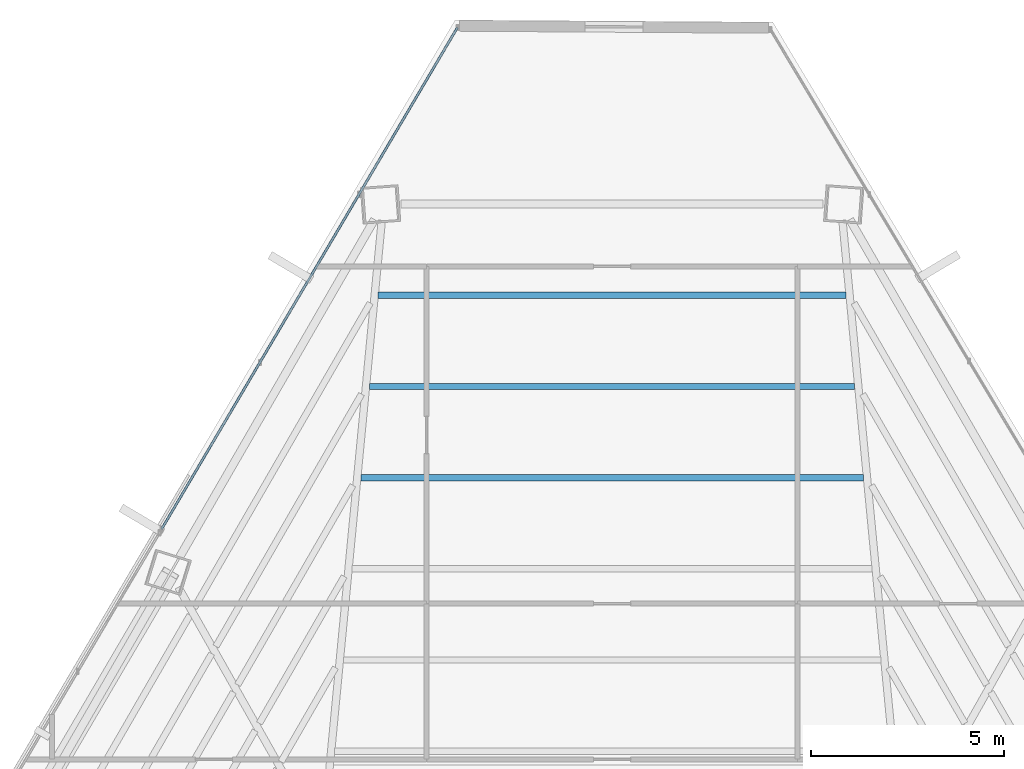
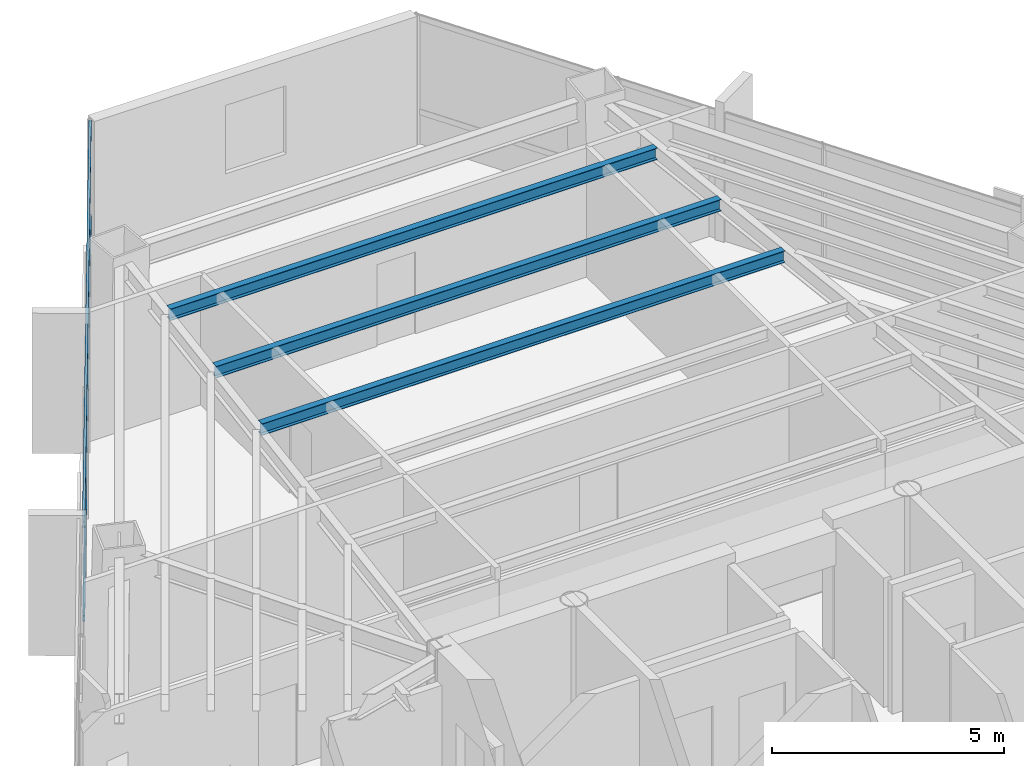
# One storey, part 28 of 41: 3 beams, 2 members, 1 element without a shape of its own.
"""IFC4 building model written with IfcOpenShell, lengths in metres."""

from ifc_helpers import new_model, si_unit, direction, frame, origin, origin_2d, place, context, subcontext, project, spatial, hollow_rectangle, i_section, extrude, source, transform, mapped, material, material_profile, profile_set, type_object, type_shapes, element, aggregate, save


model = new_model("IFC4")

# Units and contexts
model_context = context("Model", 3, precision=1e-05, world=origin(), true_north=direction((0.0, 1.0)))
body_context = subcontext(model_context, "Body", "Model", "MODEL_VIEW")
ifc_project = project(units=[si_unit("LENGTHUNIT", "METRE"), si_unit("AREAUNIT", "SQUARE_METRE"), si_unit("VOLUMEUNIT", "CUBIC_METRE"), si_unit("PLANEANGLEUNIT", "RADIAN"), si_unit("MASSUNIT", "GRAM", prefix="KILO")], contexts=[model_context])

# Site, building, storey
site_placement = place(None, origin())
site = spatial("IfcSite", under=ifc_project, at=site_placement, CompositionType="ELEMENT")
building_placement = place(site_placement, origin())
building = spatial("IfcBuilding", under=site, at=building_placement, Name="Caelisora Broadcast Tower", CompositionType="ELEMENT")
storey_placement = place(building_placement, frame((0.0, 0.0, 165.800048828125)))
storey = spatial("IfcBuildingStorey", under=building, at=storey_placement, Name="L43", CompositionType="ELEMENT", Elevation=165.800048828125)

# Beams
ifc_material_1 = material(Name="Steel Grade 350 (AS/NZS 3679.1)", Category="steel")
ifc_material_profile_1 = material_profile(ifc_material_1, i_section(OverallWidth=0.166015625, OverallDepth=0.30712890625, WebThickness=0.006591796875, FlangeThickness=0.01171875, at=origin_2d()), Name="Steel Grade 350 (AS/NZS 3679.1)")
ifc_profile_set_1 = profile_set([ifc_material_profile_1], Name="Steel Grade 350 (AS/NZS 3679.1)")
beam_type = type_object("IfcBeamType", Name="SB03", PredefinedType="JOIST", material=ifc_profile_set_1)
shared_shape_1 = source(origin(), body_context, "Body", "SweptSolid", [
    extrude(i_section(OverallWidth=0.166015625, OverallDepth=0.30712890625, WebThickness=0.006591796875, FlangeThickness=0.01171875, at=origin_2d()), origin(), (0.0, 0.0, 1.0), 13.01220703125),
])
beam_1_placement = place(storey_placement, frame((44.506103515625, 39.44091796875, 3.246337890625), z_axis=(-1.0, 0.0, 0.0), x_axis=(0.0, -1.0, 0.0)))
element("IfcBeam", 1, at=beam_1_placement, inside=storey, type_object=beam_type, Name="L43 beam SB03", PredefinedType="JOIST", context=body_context, shape_type="MappedRepresentation", body=[
    mapped(shared_shape_1, transform((0.0, 0.0, 0.0), scale=1.0)),
])
shared_shape_2 = source(origin(), body_context, "Body", "SweptSolid", [
    extrude(i_section(OverallWidth=0.166015625, OverallDepth=0.30712890625, WebThickness=0.006591796875, FlangeThickness=0.01171875, at=origin_2d()), origin(), (0.0, 0.0, 1.0), 12.5615234375),
])
beam_2_placement = place(storey_placement, frame((44.28076171875, 41.801025390625, 3.246337890625), z_axis=(-1.0, 0.0, 0.0), x_axis=(0.0, -1.0, 0.0)))
element("IfcBeam", 2, at=beam_2_placement, inside=storey, type_object=beam_type, Name="L43 beam SB03", PredefinedType="JOIST", context=body_context, shape_type="MappedRepresentation", body=[
    mapped(shared_shape_2, transform((0.0, 0.0, 0.0), scale=1.0)),
])
shared_shape_3 = source(origin(), body_context, "Body", "SweptSolid", [
    extrude(i_section(OverallWidth=0.166015625, OverallDepth=0.30712890625, WebThickness=0.006591796875, FlangeThickness=0.01171875, at=origin_2d()), origin(), (0.0, 0.0, 1.0), 12.11083984375),
])
type_shapes(beam_type, [shared_shape_1, shared_shape_2, shared_shape_3])
beam_3_placement = place(storey_placement, frame((44.055419921875, 44.161376953125, 3.246337890625), z_axis=(-1.0, 0.0, 0.0), x_axis=(0.0, -1.0, 0.0)))
element("IfcBeam", 3, at=beam_3_placement, inside=storey, type_object=beam_type, Name="L43 beam SB03", PredefinedType="JOIST", context=body_context, shape_type="MappedRepresentation", body=[
    mapped(shared_shape_3, transform((0.0, 0.0, 0.0), scale=1.0)),
])

# Curtain wall, members
ifc_material_2 = material(Name="Unitised Aluminium and Low-E Glass Curtain Wall", Category="glass")
curtain_wall_type = type_object("IfcCurtainWallType", Name="CW-Z3", PredefinedType="NOTDEFINED", material=ifc_material_2)
curtain_wall_placement = place(storey_placement, origin())
curtain_wall = element("IfcCurtainWall", 4, at=curtain_wall_placement, inside=storey, type_object=curtain_wall_type, Name="L43 curtain wall CW-Z3", PredefinedType="NOTDEFINED")
ifc_material_3 = material(Name="Aluminium 6063-T6 Anodised Terracotta Bronze", Category="aluminium")
ifc_material_profile_2 = material_profile(ifc_material_3, hollow_rectangle(XDim=0.06005859375, YDim=0.14990234375, WallThickness=0.00341796875, at=origin_2d()), Name="Aluminium 6063-T6 Anodised Terracotta Bronze")
ifc_profile_set_2 = profile_set([ifc_material_profile_2], Name="Aluminium 6063-T6 Anodised Terracotta Bronze")
member_type = type_object("IfcMemberType", Name="CWT-02", PredefinedType="USERDEFINED", material=ifc_profile_set_2)
shared_shape_4 = source(origin(), body_context, "Body", "SweptSolid", [
    extrude(hollow_rectangle(XDim=0.06005859375, YDim=0.14990234375, WallThickness=0.00341796875, at=origin_2d()), origin(), (0.0, 0.0, 1.0), 15.079345703125),
])
type_shapes(member_type, [shared_shape_4])
member_1_placement = place(storey_placement, frame((26.334716796875, 38.10693359375, 0.849853515625), z_axis=(0.507971467394, 0.86137389577, 0.0), x_axis=(-0.86137389577, 0.507971467394, 0.0)))
member_1 = element("IfcMember", 5, at=member_1_placement, type_object=member_type, Name="L43-CW-B11 transom #1", ObjectType="TRANSOM", PredefinedType="USERDEFINED", context=body_context, shape_type="MappedRepresentation", body=[
    mapped(shared_shape_4, transform((0.0, 0.0, 0.0), scale=1.0)),
])
member_2_placement = place(storey_placement, frame((26.334716796875, 38.10693359375, 3.320068359375), z_axis=(0.507971467394, 0.86137389577, 0.0), x_axis=(-0.86137389577, 0.507971467394, 0.0)))
member_2 = element("IfcMember", 6, at=member_2_placement, type_object=member_type, Name="L43-CW-B11 transom #2", ObjectType="TRANSOM", PredefinedType="USERDEFINED", context=body_context, shape_type="MappedRepresentation", body=[
    mapped(shared_shape_4, transform((0.0, 0.0, 0.0), scale=1.0)),
])
aggregate(curtain_wall, [member_1, member_2])

save(model, "model.ifc")
